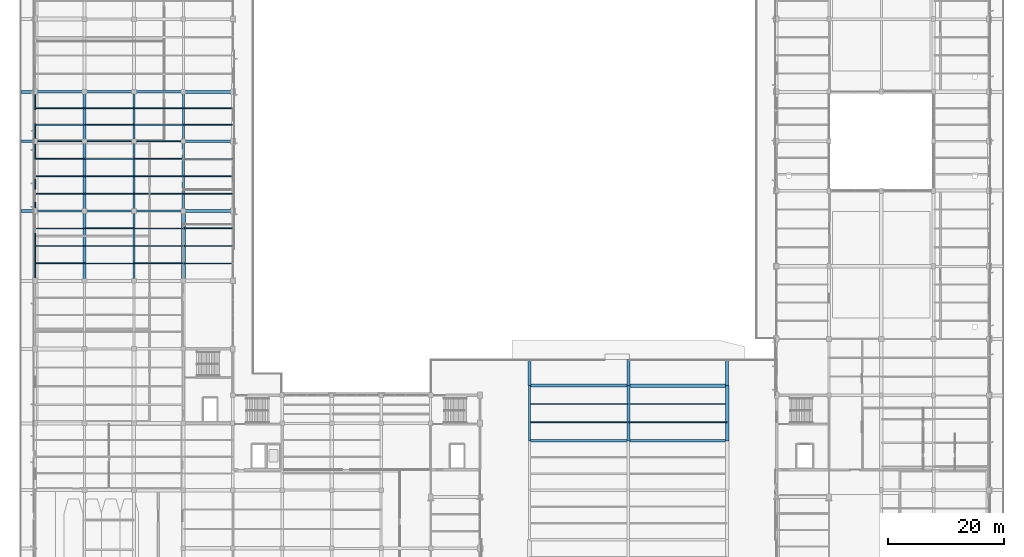
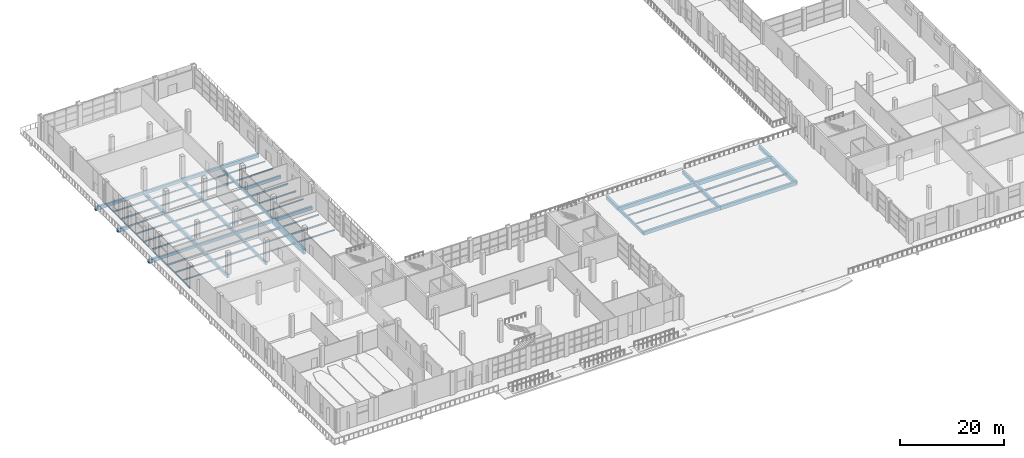
# One storey, part 20 of 90: 73 beams.
"""IFC4 building model written with IfcOpenShell, lengths in metres."""

from ifc_helpers import new_model, si_unit, direction, frame, origin, origin_2d, place, context, subcontext, project, spatial, rectangle, hollow_rectangle, i_section, extrude, material, material_profile, profile_set, type_object, element, save


model = new_model("IFC4")

# Units and contexts
model_context = context("Model", 3, precision=1e-05, world=origin(), true_north=direction((0.0, 1.0)))
body_context = subcontext(model_context, "Body", "Model", "MODEL_VIEW")
ifc_project = project(units=[si_unit("LENGTHUNIT", "METRE"), si_unit("AREAUNIT", "SQUARE_METRE"), si_unit("VOLUMEUNIT", "CUBIC_METRE"), si_unit("PLANEANGLEUNIT", "RADIAN"), si_unit("MASSUNIT", "GRAM", prefix="KILO")], contexts=[model_context])

# Site, building, storey
site_placement = place(None, origin())
site = spatial("IfcSite", under=ifc_project, at=site_placement, CompositionType="ELEMENT")
building_placement = place(site_placement, origin())
building = spatial("IfcBuilding", under=site, at=building_placement, Name="Solvikara Media Centre", CompositionType="ELEMENT")
storey_placement = place(building_placement, origin())
storey = spatial("IfcBuildingStorey", under=building, at=storey_placement, Name="L00", CompositionType="ELEMENT", Elevation=0.0)

# Beams
ifc_material_1 = material(Name="Concrete fc' 35 MPa (C35/45)", Category="concrete")
ifc_material_profile_1 = material_profile(ifc_material_1, rectangle(XDim=0.35009765625, YDim=0.60009765625, at=origin_2d()), Name="RC 350x600")
ifc_profile_set_1 = profile_set([ifc_material_profile_1], Name="Concrete fc' 35 MPa (C35/45)")
beam_type_1 = type_object("IfcBeamType", Name="BM-01", PredefinedType="BEAM", material=ifc_profile_set_1)
beam_1_placement = place(storey_placement, frame((25.5, 68.5, -0.639892578125), z_axis=(0.0, 1.0, 0.0), x_axis=(-1.0, 0.0, 0.0)))
element("IfcBeam", 1, at=beam_1_placement, inside=storey, type_object=beam_type_1, Name="B-L00-Y0145", PredefinedType="BEAM", context=body_context, shape_type="SweptSolid", body=[
    extrude(rectangle(XDim=0.35009765625, YDim=0.60009765625, at=origin_2d()), origin(), (0.0, 0.0, 1.0), 12.0),
])
ifc_material_profile_2 = material_profile(ifc_material_1, rectangle(XDim=0.39990234375, YDim=0.64990234375, at=origin_2d()), Name="RC 400x650")
ifc_profile_set_2 = profile_set([ifc_material_profile_2], Name="Concrete fc' 35 MPa (C35/45)")
beam_type_2 = type_object("IfcBeamType", Name="BM-02", PredefinedType="BEAM", material=ifc_profile_set_2)
beam_2_placement = place(storey_placement, frame((0.0, 68.5, -0.6650390625), z_axis=(1.0, 0.0, 0.0), x_axis=(0.0, 1.0, 0.0)))
element("IfcBeam", 2, at=beam_2_placement, inside=storey, type_object=beam_type_2, Name="B-L00-X0074", PredefinedType="BEAM", context=body_context, shape_type="SweptSolid", body=[
    extrude(rectangle(XDim=0.39990234375, YDim=0.64990234375, at=origin_2d()), origin(), (0.0, 0.0, 1.0), 8.5),
])
beam_3_placement = place(storey_placement, frame((17.0, 56.5, -0.6650390625), z_axis=(0.0, 1.0, 0.0), x_axis=(-1.0, 0.0, 0.0)))
element("IfcBeam", 3, at=beam_3_placement, inside=storey, type_object=beam_type_2, Name="B-L00-Y0134", PredefinedType="BEAM", context=body_context, shape_type="SweptSolid", body=[
    extrude(rectangle(XDim=0.39990234375, YDim=0.64990234375, at=origin_2d()), origin(), (0.0, 0.0, 1.0), 12.0),
])
beam_4_placement = place(storey_placement, frame((25.5, 80.5, -0.6650390625), z_axis=(0.0, 1.0, 0.0), x_axis=(-1.0, 0.0, 0.0)))
element("IfcBeam", 4, at=beam_4_placement, inside=storey, type_object=beam_type_2, Name="B-L00-Y0146", PredefinedType="BEAM", context=body_context, shape_type="SweptSolid", body=[
    extrude(rectangle(XDim=0.39990234375, YDim=0.64990234375, at=origin_2d()), origin(), (0.0, 0.0, 1.0), 8.5),
])
ifc_material_profile_3 = material_profile(ifc_material_1, rectangle(XDim=0.39990234375, YDim=0.699951171875, at=origin_2d()), Name="RC 400x700")
ifc_profile_set_3 = profile_set([ifc_material_profile_3], Name="Concrete fc' 35 MPa (C35/45)")
beam_type_3 = type_object("IfcBeamType", Name="BM-03", PredefinedType="BEAM", material=ifc_profile_set_3)
beam_5_placement = place(storey_placement, frame((8.5, 68.5, -0.68994140625), z_axis=(1.0, 0.0, 0.0), x_axis=(0.0, 1.0, 0.0)))
element("IfcBeam", 5, at=beam_5_placement, inside=storey, type_object=beam_type_3, Name="B-L00-X0075", PredefinedType="BEAM", context=body_context, shape_type="SweptSolid", body=[
    extrude(rectangle(XDim=0.39990234375, YDim=0.699951171875, at=origin_2d()), origin(), (0.0, 0.0, 1.0), 8.5),
])
beam_6_placement = place(storey_placement, frame((17.0, 68.5, -0.68994140625), z_axis=(0.0, 1.0, 0.0), x_axis=(-1.0, 0.0, 0.0)))
element("IfcBeam", 6, at=beam_6_placement, inside=storey, type_object=beam_type_3, Name="B-L00-Y0135", PredefinedType="BEAM", context=body_context, shape_type="SweptSolid", body=[
    extrude(rectangle(XDim=0.39990234375, YDim=0.699951171875, at=origin_2d()), origin(), (0.0, 0.0, 1.0), 12.0),
])
beam_7_placement = place(storey_placement, frame((85.0, 29.0, -0.60009765625), z_axis=(0.0, 1.0, 0.0), x_axis=(-1.0, 0.0, 0.0)))
element("IfcBeam", 7, at=beam_7_placement, inside=storey, type_object=beam_type_3, Name="B-L00-Y0183", PredefinedType="BEAM", context=body_context, shape_type="SweptSolid", body=[
    extrude(rectangle(XDim=0.39990234375, YDim=0.699951171875, at=origin_2d()), origin(), (0.0, 0.0, 1.0), 9.5),
])
ifc_material_profile_4 = material_profile(ifc_material_1, rectangle(XDim=0.39990234375, YDim=0.75, at=origin_2d()), Name="RC 400x750")
ifc_profile_set_4 = profile_set([ifc_material_profile_4], Name="Concrete fc' 35 MPa (C35/45)")
beam_type_4 = type_object("IfcBeamType", Name="BM-04", PredefinedType="BEAM", material=ifc_profile_set_4)
for number, where, z_axis, x_axis, name in (
    (8, (17.0, 68.5, -0.715087890625), (1.0, 0.0, 0.0), (0.0, 1.0, 0.0), "B-L00-X0076"),
    (9, (0.0, 89.0, -0.715087890625), (1.0, 0.0, 0.0), (0.0, 1.0, 0.0), "B-L00-X0088"),
    (10, (17.0, 80.5, -0.715087890625), (0.0, 1.0, 0.0), (-1.0, 0.0, 0.0), "B-L00-Y0136"),
):
    element("IfcBeam", number, at=place(storey_placement, frame(where, z_axis=z_axis, x_axis=x_axis)), inside=storey, type_object=beam_type_4, Name=name, PredefinedType="BEAM", context=body_context, shape_type="SweptSolid", body=[
        extrude(rectangle(XDim=0.39990234375, YDim=0.75, at=origin_2d()), origin(), (0.0, 0.0, 1.0), 8.5),
    ])
ifc_material_profile_5 = material_profile(ifc_material_1, rectangle(XDim=0.449951171875, YDim=0.75, at=origin_2d()), Name="RC 450x750")
ifc_profile_set_5 = profile_set([ifc_material_profile_5], Name="Concrete fc' 35 MPa (C35/45)")
beam_type_5 = type_object("IfcBeamType", Name="BM-05", PredefinedType="BEAM", material=ifc_profile_set_5)
for number, where, z_axis, x_axis, name in (
    (11, (25.5, 68.5, -0.715087890625), (1.0, 0.0, 0.0), (0.0, 1.0, 0.0), "B-L00-X0077"),
    (12, (8.5, 89.0, -0.715087890625), (1.0, 0.0, 0.0), (0.0, 1.0, 0.0), "B-L00-X0089"),
):
    element("IfcBeam", number, at=place(storey_placement, frame(where, z_axis=z_axis, x_axis=x_axis)), inside=storey, type_object=beam_type_5, Name=name, PredefinedType="BEAM", context=body_context, shape_type="SweptSolid", body=[
        extrude(rectangle(XDim=0.449951171875, YDim=0.75, at=origin_2d()), origin(), (0.0, 0.0, 1.0), 8.5),
    ])
beam_8_placement = place(storey_placement, frame((8.5, 56.5, -0.715087890625), z_axis=(0.0, 1.0, 0.0), x_axis=(-1.0, 0.0, 0.0)))
element("IfcBeam", 13, at=beam_8_placement, inside=storey, type_object=beam_type_5, Name="B-L00-Y0125", PredefinedType="BEAM", context=body_context, shape_type="SweptSolid", body=[
    extrude(rectangle(XDim=0.449951171875, YDim=0.75, at=origin_2d()), origin(), (0.0, 0.0, 1.0), 12.0),
])
ifc_material_profile_6 = material_profile(ifc_material_1, rectangle(XDim=0.449951171875, YDim=0.800048828125, at=origin_2d()), Name="RC 450x800")
ifc_profile_set_6 = profile_set([ifc_material_profile_6], Name="Concrete fc' 35 MPa (C35/45)")
beam_type_6 = type_object("IfcBeamType", Name="BM-06", PredefinedType="BEAM", material=ifc_profile_set_6)
beam_9_placement = place(storey_placement, frame((17.0, 89.0, -0.739990234375), z_axis=(1.0, 0.0, 0.0), x_axis=(0.0, 1.0, 0.0)))
element("IfcBeam", 14, at=beam_9_placement, inside=storey, type_object=beam_type_6, Name="B-L00-X0090", PredefinedType="BEAM", context=body_context, shape_type="SweptSolid", body=[
    extrude(rectangle(XDim=0.449951171875, YDim=0.800048828125, at=origin_2d()), origin(), (0.0, 0.0, 1.0), 8.5),
])
beam_10_placement = place(storey_placement, frame((8.5, 68.5, -0.739990234375), z_axis=(0.0, 1.0, 0.0), x_axis=(-1.0, 0.0, 0.0)))
element("IfcBeam", 15, at=beam_10_placement, inside=storey, type_object=beam_type_6, Name="B-L00-Y0126", PredefinedType="BEAM", context=body_context, shape_type="SweptSolid", body=[
    extrude(rectangle(XDim=0.449951171875, YDim=0.800048828125, at=origin_2d()), origin(), (0.0, 0.0, 1.0), 12.0),
])
ifc_material_profile_7 = material_profile(ifc_material_1, rectangle(XDim=0.5, YDim=0.800048828125, at=origin_2d()), Name="RC 500x800")
ifc_profile_set_7 = profile_set([ifc_material_profile_7], Name="Concrete fc' 35 MPa (C35/45)")
beam_type_7 = type_object("IfcBeamType", Name="BM-07", PredefinedType="BEAM", material=ifc_profile_set_7)
beam_11_placement = place(storey_placement, frame((85.0, 29.0, -0.64990234375), z_axis=(1.0, 0.0, 0.0), x_axis=(0.0, 1.0, 0.0)))
element("IfcBeam", 16, at=beam_11_placement, inside=storey, type_object=beam_type_7, Name="B-L00-X0043", PredefinedType="BEAM", context=body_context, shape_type="SweptSolid", body=[
    extrude(rectangle(XDim=0.5, YDim=0.800048828125, at=origin_2d()), origin(), (0.0, 0.0, 1.0), 17.0),
])
for number, where, z_axis, x_axis, name in (
    (17, (25.5, 89.0, -0.739990234375), (1.0, 0.0, 0.0), (0.0, 1.0, 0.0), "B-L00-X0091"),
    (18, (8.5, 80.5, -0.739990234375), (0.0, 1.0, 0.0), (-1.0, 0.0, 0.0), "B-L00-Y0127"),
):
    element("IfcBeam", number, at=place(storey_placement, frame(where, z_axis=z_axis, x_axis=x_axis)), inside=storey, type_object=beam_type_7, Name=name, PredefinedType="BEAM", context=body_context, shape_type="SweptSolid", body=[
        extrude(rectangle(XDim=0.5, YDim=0.800048828125, at=origin_2d()), origin(), (0.0, 0.0, 1.0), 8.5),
    ])
beam_12_placement = place(storey_placement, frame((102.0, 29.0, -0.64990234375), z_axis=(0.0, 1.0, 0.0), x_axis=(-1.0, 0.0, 0.0)))
element("IfcBeam", 19, at=beam_12_placement, inside=storey, type_object=beam_type_7, Name="B-L00-Y0187", PredefinedType="BEAM", context=body_context, shape_type="SweptSolid", body=[
    extrude(rectangle(XDim=0.5, YDim=0.800048828125, at=origin_2d()), origin(), (0.0, 0.0, 1.0), 9.5),
])
for number, where, z_axis, x_axis, name in (
    (20, (-2.3798828125, 68.5, -0.64990234375), (1.0, 0.0, 0.0), (0.0, 1.0, 0.0), "B-L00-PRM-007"),
    (21, (-2.3798828125, 80.5, -0.64990234375), (1.0, 0.0, 0.0), (0.0, 1.0, 0.0), "B-L00-PRM-008"),
    (22, (-2.3798828125, 89.0, -0.64990234375), (1.0, 0.0, 0.0), (0.0, 1.0, 0.0), "B-L00-PRM-009"),
):
    element("IfcBeam", number, at=place(storey_placement, frame(where, z_axis=z_axis, x_axis=x_axis)), inside=storey, type_object=beam_type_7, Name=name, PredefinedType="BEAM", context=body_context, shape_type="SweptSolid", body=[
        extrude(rectangle(XDim=0.5, YDim=0.800048828125, at=origin_2d()), origin(), (0.0, 0.0, 1.0), 2.3798828125),
    ])
for number, where, z_axis, x_axis, name in (
    (23, (85.0, 38.5, -0.64990234375), (0.0, 1.0, 0.0), (-1.0, 0.0, 0.0), "B-L00-PRM-040"),
    (24, (102.0, 38.5, -0.64990234375), (0.0, 1.0, 0.0), (-1.0, 0.0, 0.0), "B-L00-PRM-041"),
    (25, (119.0, 38.5, -0.64990234375), (0.0, 1.0, 0.0), (-1.0, 0.0, 0.0), "B-L00-PRM-042"),
):
    element("IfcBeam", number, at=place(storey_placement, frame(where, z_axis=z_axis, x_axis=x_axis)), inside=storey, type_object=beam_type_7, Name=name, PredefinedType="BEAM", context=body_context, shape_type="SweptSolid", body=[
        extrude(rectangle(XDim=0.5, YDim=0.800048828125, at=origin_2d()), origin(), (0.0, 0.0, 1.0), 4.5),
    ])
ifc_material_profile_8 = material_profile(ifc_material_1, rectangle(XDim=0.5, YDim=0.85009765625, at=origin_2d()), Name="RC 500x850")
ifc_profile_set_8 = profile_set([ifc_material_profile_8], Name="Concrete fc' 35 MPa (C35/45)")
beam_type_8 = type_object("IfcBeamType", Name="BM-08", PredefinedType="BEAM", material=ifc_profile_set_8)
beam_13_placement = place(storey_placement, frame((102.0, 29.0, -0.675048828125), z_axis=(1.0, 0.0, 0.0), x_axis=(0.0, 1.0, 0.0)))
element("IfcBeam", 26, at=beam_13_placement, inside=storey, type_object=beam_type_8, Name="B-L00-X0044", PredefinedType="BEAM", context=body_context, shape_type="SweptSolid", body=[
    extrude(rectangle(XDim=0.5, YDim=0.85009765625, at=origin_2d()), origin(), (0.0, 0.0, 1.0), 17.0),
])
ifc_material_2 = material(Name="Concrete fc' 45 MPa (C45/55)", Category="concrete")
ifc_material_profile_9 = material_profile(ifc_material_2, rectangle(XDim=0.550048828125, YDim=0.89990234375, at=origin_2d()), Name="RC 550x900")
ifc_profile_set_9 = profile_set([ifc_material_profile_9], Name="Concrete fc' 45 MPa (C45/55)")
beam_type_9 = type_object("IfcBeamType", Name="BM-10", PredefinedType="BEAM", material=ifc_profile_set_9)
beam_14_placement = place(storey_placement, frame((85.0, 38.5, -0.699951171875), z_axis=(1.0, 0.0, 0.0), x_axis=(0.0, 1.0, 0.0)))
element("IfcBeam", 27, at=beam_14_placement, inside=storey, type_object=beam_type_9, Name="B-L00-X0058", PredefinedType="BEAM", context=body_context, shape_type="SweptSolid", body=[
    extrude(rectangle(XDim=0.550048828125, YDim=0.89990234375, at=origin_2d()), origin(), (0.0, 0.0, 1.0), 17.0),
])
ifc_material_profile_10 = material_profile(ifc_material_2, rectangle(XDim=0.60009765625, YDim=0.949951171875, at=origin_2d()), Name="RC 600x950")
ifc_profile_set_10 = profile_set([ifc_material_profile_10], Name="Concrete fc' 45 MPa (C45/55)")
beam_type_10 = type_object("IfcBeamType", Name="BM-11", PredefinedType="BEAM", material=ifc_profile_set_10)
beam_15_placement = place(storey_placement, frame((102.0, 38.5, -0.72509765625), z_axis=(1.0, 0.0, 0.0), x_axis=(0.0, 1.0, 0.0)))
element("IfcBeam", 28, at=beam_15_placement, inside=storey, type_object=beam_type_10, Name="B-L00-X0059", PredefinedType="BEAM", context=body_context, shape_type="SweptSolid", body=[
    extrude(rectangle(XDim=0.60009765625, YDim=0.949951171875, at=origin_2d()), origin(), (0.0, 0.0, 1.0), 17.0),
])
beam_16_placement = place(storey_placement, frame((119.0, 29.0, -0.72509765625), z_axis=(0.0, 1.0, 0.0), x_axis=(-1.0, 0.0, 0.0)))
element("IfcBeam", 29, at=beam_16_placement, inside=storey, type_object=beam_type_10, Name="B-L00-Y0191", PredefinedType="BEAM", context=body_context, shape_type="SweptSolid", body=[
    extrude(rectangle(XDim=0.60009765625, YDim=0.949951171875, at=origin_2d()), origin(), (0.0, 0.0, 1.0), 9.5),
])
ifc_material_profile_11 = material_profile(ifc_material_2, rectangle(XDim=0.64990234375, YDim=1.10009765625, at=origin_2d()), Name="RC 650x1100")
ifc_profile_set_11 = profile_set([ifc_material_profile_11], Name="Concrete fc' 45 MPa (C45/55)")
beam_type_11 = type_object("IfcBeamType", Name="BM-12", PredefinedType="BEAM", material=ifc_profile_set_11)
beam_17_placement = place(storey_placement, frame((25.5, 56.5, -0.889892578125), z_axis=(0.0, 1.0, 0.0), x_axis=(-1.0, 0.0, 0.0)))
element("IfcBeam", 30, at=beam_17_placement, inside=storey, type_object=beam_type_11, Name="B-L00-Y0144", PredefinedType="BEAM", context=body_context, shape_type="SweptSolid", body=[
    extrude(rectangle(XDim=0.64990234375, YDim=1.10009765625, at=origin_2d()), origin(), (0.0, 0.0, 1.0), 12.0),
])
ifc_material_profile_12 = material_profile(ifc_material_1, rectangle(XDim=0.39990234375, YDim=0.699951171875, at=origin_2d()), Name="RC 400x700")
ifc_profile_set_12 = profile_set([ifc_material_profile_12], Name="Concrete fc' 35 MPa (C35/45)")
beam_type_12 = type_object("IfcBeamType", Name="BM-13", PredefinedType="SPANDREL", material=ifc_profile_set_12)
beam_18_placement = place(storey_placement, frame((25.5, 80.5, -0.68994140625), z_axis=(1.0, 0.0, 0.0), x_axis=(0.0, 1.0, 0.0)))
element("IfcBeam", 31, at=beam_18_placement, inside=storey, type_object=beam_type_12, Name="B-L00-X0085", PredefinedType="SPANDREL", context=body_context, shape_type="SweptSolid", body=[
    extrude(rectangle(XDim=0.39990234375, YDim=0.699951171875, at=origin_2d()), origin(), (0.0, 0.0, 1.0), 8.5),
])
ifc_material_3 = material(Name="Steel S355JR", Category="steel")
ifc_material_profile_13 = material_profile(ifc_material_3, i_section(OverallWidth=0.199951171875, OverallDepth=0.39990234375, WebThickness=0.008056640625, FlangeThickness=0.012939453125, at=origin_2d()), Name="WF 400x200x8x13")
ifc_profile_set_13 = profile_set([ifc_material_profile_13], Name="Steel S355JR")
beam_type_13 = type_object("IfcBeamType", Name="BM-21", PredefinedType="JOIST", material=ifc_profile_set_13)
beam_19_placement = place(storey_placement, frame((0.0, 65.5, -0.5419921875), z_axis=(1.0, 0.0, 0.0), x_axis=(0.0, 1.0, 0.0)))
element("IfcBeam", 32, at=beam_19_placement, inside=storey, type_object=beam_type_13, Name="J-L00-0249", PredefinedType="JOIST", context=body_context, shape_type="SweptSolid", body=[
    extrude(i_section(OverallWidth=0.199951171875, OverallDepth=0.39990234375, WebThickness=0.008056640625, FlangeThickness=0.012939453125, at=origin_2d()), origin(), (0.0, 0.0, 1.0), 8.422119140625),
])
for number, where, z_axis, x_axis, name in (
    (33, (8.577880859375, 62.5, -0.5419921875), (1.0, 0.0, 0.0), (0.0, 1.0, 0.0), "J-L00-0273"),
    (34, (17.077880859375, 65.5, -0.5419921875), (1.0, 0.0, 0.0), (0.0, 1.0, 0.0), "J-L00-0297"),
    (35, (25.577880859375, 77.5, -0.5419921875), (1.0, 0.0, 0.0), (0.0, 1.0, 0.0), "J-L00-0321"),
):
    element("IfcBeam", number, at=place(storey_placement, frame(where, z_axis=z_axis, x_axis=x_axis)), inside=storey, type_object=beam_type_13, Name=name, PredefinedType="JOIST", context=body_context, shape_type="SweptSolid", body=[
        extrude(i_section(OverallWidth=0.199951171875, OverallDepth=0.39990234375, WebThickness=0.008056640625, FlangeThickness=0.012939453125, at=origin_2d()), origin(), (0.0, 0.0, 1.0), 8.34423828125),
    ])
beam_20_placement = place(storey_placement, frame((102.077880859375, 35.3330078125, -0.451904296875), z_axis=(1.0, 0.0, 0.0), x_axis=(0.0, 1.0, 0.0)))
element("IfcBeam", 36, at=beam_20_placement, inside=storey, type_object=beam_type_13, Name="J-L00-0377", PredefinedType="JOIST", context=body_context, shape_type="SweptSolid", body=[
    extrude(i_section(OverallWidth=0.199951171875, OverallDepth=0.39990234375, WebThickness=0.008056640625, FlangeThickness=0.012939453125, at=origin_2d()), origin(), (0.0, 0.0, 1.0), 16.84423828125),
])
ifc_material_profile_14 = material_profile(ifc_material_3, i_section(OverallWidth=0.175048828125, OverallDepth=0.35009765625, WebThickness=0.007080078125, FlangeThickness=0.010986328125, at=origin_2d()), Name="WF 350x175x7x11")
ifc_profile_set_14 = profile_set([ifc_material_profile_14], Name="Steel S355JR")
beam_type_14 = type_object("IfcBeamType", Name="BM-22", PredefinedType="JOIST", material=ifc_profile_set_14)
beam_21_placement = place(storey_placement, frame((0.0, 71.5, -0.51708984375), z_axis=(1.0, 0.0, 0.0), x_axis=(0.0, 1.0, 0.0)))
element("IfcBeam", 37, at=beam_21_placement, inside=storey, type_object=beam_type_14, Name="J-L00-0250", PredefinedType="JOIST", context=body_context, shape_type="SweptSolid", body=[
    extrude(i_section(OverallWidth=0.175048828125, OverallDepth=0.35009765625, WebThickness=0.007080078125, FlangeThickness=0.010986328125, at=origin_2d()), origin(), (0.0, 0.0, 1.0), 8.422119140625),
])
for number, where, z_axis, x_axis, name in (
    (38, (8.577880859375, 65.5, -0.51708984375), (1.0, 0.0, 0.0), (0.0, 1.0, 0.0), "J-L00-0274"),
    (39, (17.077880859375, 71.5, -0.51708984375), (1.0, 0.0, 0.0), (0.0, 1.0, 0.0), "J-L00-0298"),
    (40, (25.577880859375, 83.3330078125, -0.51708984375), (1.0, 0.0, 0.0), (0.0, 1.0, 0.0), "J-L00-0322"),
):
    element("IfcBeam", number, at=place(storey_placement, frame(where, z_axis=z_axis, x_axis=x_axis)), inside=storey, type_object=beam_type_14, Name=name, PredefinedType="JOIST", context=body_context, shape_type="SweptSolid", body=[
        extrude(i_section(OverallWidth=0.175048828125, OverallDepth=0.35009765625, WebThickness=0.007080078125, FlangeThickness=0.010986328125, at=origin_2d()), origin(), (0.0, 0.0, 1.0), 8.34423828125),
    ])
ifc_material_profile_15 = material_profile(ifc_material_3, i_section(OverallWidth=0.14990234375, OverallDepth=0.300048828125, WebThickness=0.006591796875, FlangeThickness=0.009033203125, at=origin_2d()), Name="WF 300x150x6.5x9")
ifc_profile_set_15 = profile_set([ifc_material_profile_15], Name="Steel S355JR")
beam_type_15 = type_object("IfcBeamType", Name="BM-23", PredefinedType="JOIST", material=ifc_profile_set_15)
beam_22_placement = place(storey_placement, frame((0.0, 74.5, -0.491943359375), z_axis=(1.0, 0.0, 0.0), x_axis=(0.0, 1.0, 0.0)))
element("IfcBeam", 41, at=beam_22_placement, inside=storey, type_object=beam_type_15, Name="J-L00-0251", PredefinedType="JOIST", context=body_context, shape_type="SweptSolid", body=[
    extrude(i_section(OverallWidth=0.14990234375, OverallDepth=0.300048828125, WebThickness=0.006591796875, FlangeThickness=0.009033203125, at=origin_2d()), origin(), (0.0, 0.0, 1.0), 8.422119140625),
])
for number, where, z_axis, x_axis, name in (
    (42, (8.577880859375, 71.5, -0.491943359375), (1.0, 0.0, 0.0), (0.0, 1.0, 0.0), "J-L00-0275"),
    (43, (17.077880859375, 74.5, -0.491943359375), (1.0, 0.0, 0.0), (0.0, 1.0, 0.0), "J-L00-0299"),
    (44, (25.577880859375, 86.1669921875, -0.491943359375), (1.0, 0.0, 0.0), (0.0, 1.0, 0.0), "J-L00-0323"),
):
    element("IfcBeam", number, at=place(storey_placement, frame(where, z_axis=z_axis, x_axis=x_axis)), inside=storey, type_object=beam_type_15, Name=name, PredefinedType="JOIST", context=body_context, shape_type="SweptSolid", body=[
        extrude(i_section(OverallWidth=0.14990234375, OverallDepth=0.300048828125, WebThickness=0.006591796875, FlangeThickness=0.009033203125, at=origin_2d()), origin(), (0.0, 0.0, 1.0), 8.34423828125),
    ])
ifc_material_profile_16 = material_profile(ifc_material_3, i_section(OverallWidth=0.125, OverallDepth=0.25, WebThickness=0.006103515625, FlangeThickness=0.009033203125, at=origin_2d()), Name="WF 250x125x6x9")
ifc_profile_set_16 = profile_set([ifc_material_profile_16], Name="Steel S355JR")
beam_type_16 = type_object("IfcBeamType", Name="BM-24", PredefinedType="JOIST", material=ifc_profile_set_16)
beam_23_placement = place(storey_placement, frame((0.0, 77.5, -0.467041015625), z_axis=(1.0, 0.0, 0.0), x_axis=(0.0, 1.0, 0.0)))
element("IfcBeam", 45, at=beam_23_placement, inside=storey, type_object=beam_type_16, Name="J-L00-0252", PredefinedType="JOIST", context=body_context, shape_type="SweptSolid", body=[
    extrude(i_section(OverallWidth=0.125, OverallDepth=0.25, WebThickness=0.006103515625, FlangeThickness=0.009033203125, at=origin_2d()), origin(), (0.0, 0.0, 1.0), 8.422119140625),
])
for number, where, z_axis, x_axis, name in (
    (46, (8.577880859375, 74.5, -0.467041015625), (1.0, 0.0, 0.0), (0.0, 1.0, 0.0), "J-L00-0276"),
    (47, (17.077880859375, 77.5, -0.467041015625), (1.0, 0.0, 0.0), (0.0, 1.0, 0.0), "J-L00-0300"),
    (48, (25.577880859375, 59.5, -0.467041015625), (1.0, 0.0, 0.0), (0.0, 1.0, 0.0), "J-L00-0316"),
):
    element("IfcBeam", number, at=place(storey_placement, frame(where, z_axis=z_axis, x_axis=x_axis)), inside=storey, type_object=beam_type_16, Name=name, PredefinedType="JOIST", context=body_context, shape_type="SweptSolid", body=[
        extrude(i_section(OverallWidth=0.125, OverallDepth=0.25, WebThickness=0.006103515625, FlangeThickness=0.009033203125, at=origin_2d()), origin(), (0.0, 0.0, 1.0), 8.34423828125),
    ])
ifc_material_profile_17 = material_profile(ifc_material_3, hollow_rectangle(XDim=0.175048828125, YDim=0.35009765625, WallThickness=0.010009765625, at=origin_2d()), Name="RHS 350x175x10")
ifc_profile_set_17 = profile_set([ifc_material_profile_17], Name="Steel S355JR")
beam_type_17 = type_object("IfcBeamType", Name="BM-34", PredefinedType="SPANDREL", material=ifc_profile_set_17)
beam_24_placement = place(storey_placement, frame((0.0, 80.5, -0.51708984375), z_axis=(1.0, 0.0, 0.0), x_axis=(0.0, 1.0, 0.0)))
element("IfcBeam", 49, at=beam_24_placement, inside=storey, type_object=beam_type_17, Name="B-L00-X0082", PredefinedType="SPANDREL", context=body_context, shape_type="SweptSolid", body=[
    extrude(hollow_rectangle(XDim=0.175048828125, YDim=0.35009765625, WallThickness=0.010009765625, at=origin_2d()), origin(), (0.0, 0.0, 1.0), 8.5),
])
beam_25_placement = place(storey_placement, frame((0.0, 56.5, -0.51708984375), z_axis=(0.0, 1.0, 0.0), x_axis=(-1.0, 0.0, 0.0)))
element("IfcBeam", 50, at=beam_25_placement, inside=storey, type_object=beam_type_17, Name="B-L00-Y0116", PredefinedType="SPANDREL", context=body_context, shape_type="SweptSolid", body=[
    extrude(hollow_rectangle(XDim=0.175048828125, YDim=0.35009765625, WallThickness=0.010009765625, at=origin_2d()), origin(), (0.0, 0.0, 1.0), 12.0),
])
ifc_material_profile_18 = material_profile(ifc_material_3, hollow_rectangle(XDim=0.14990234375, YDim=0.300048828125, WallThickness=0.010009765625, at=origin_2d()), Name="RHS 300x150x10")
ifc_profile_set_18 = profile_set([ifc_material_profile_18], Name="Steel S355JR")
beam_type_18 = type_object("IfcBeamType", Name="BM-35", PredefinedType="BEAM", material=ifc_profile_set_18)
beam_26_placement = place(storey_placement, frame((8.5, 80.5, -0.491943359375), z_axis=(1.0, 0.0, 0.0), x_axis=(0.0, 1.0, 0.0)))
element("IfcBeam", 51, at=beam_26_placement, inside=storey, type_object=beam_type_18, Name="B-L00-X0083", PredefinedType="BEAM", context=body_context, shape_type="SweptSolid", body=[
    extrude(hollow_rectangle(XDim=0.14990234375, YDim=0.300048828125, WallThickness=0.010009765625, at=origin_2d()), origin(), (0.0, 0.0, 1.0), 8.5),
])
beam_27_placement = place(storey_placement, frame((0.0, 68.5, -0.491943359375), z_axis=(0.0, 1.0, 0.0), x_axis=(-1.0, 0.0, 0.0)))
element("IfcBeam", 52, at=beam_27_placement, inside=storey, type_object=beam_type_18, Name="B-L00-Y0117", PredefinedType="BEAM", context=body_context, shape_type="SweptSolid", body=[
    extrude(hollow_rectangle(XDim=0.14990234375, YDim=0.300048828125, WallThickness=0.010009765625, at=origin_2d()), origin(), (0.0, 0.0, 1.0), 12.0),
])
ifc_material_profile_19 = material_profile(ifc_material_3, hollow_rectangle(XDim=0.14990234375, YDim=0.25, WallThickness=0.008056640625, at=origin_2d()), Name="RHS 250x150x8")
ifc_profile_set_19 = profile_set([ifc_material_profile_19], Name="Steel S355JR")
beam_type_19 = type_object("IfcBeamType", Name="BM-36", PredefinedType="JOIST", material=ifc_profile_set_19)
for number, where, z_axis, x_axis, name in (
    (53, (17.0, 80.5, -0.467041015625), (1.0, 0.0, 0.0), (0.0, 1.0, 0.0), "B-L00-X0084"),
    (54, (0.0, 80.5, -0.467041015625), (0.0, 1.0, 0.0), (-1.0, 0.0, 0.0), "B-L00-Y0118"),
):
    element("IfcBeam", number, at=place(storey_placement, frame(where, z_axis=z_axis, x_axis=x_axis)), inside=storey, type_object=beam_type_19, Name=name, PredefinedType="JOIST", context=body_context, shape_type="SweptSolid", body=[
        extrude(hollow_rectangle(XDim=0.14990234375, YDim=0.25, WallThickness=0.008056640625, at=origin_2d()), origin(), (0.0, 0.0, 1.0), 8.5),
    ])
ifc_material_profile_20 = material_profile(ifc_material_3, i_section(OverallWidth=0.198974609375, OverallDepth=0.39599609375, WebThickness=0.007080078125, FlangeThickness=0.010986328125, at=origin_2d()), Name="WF 396x199x7x11")
ifc_profile_set_20 = profile_set([ifc_material_profile_20], Name="Steel S355JR")
beam_type_20 = type_object("IfcBeamType", Name="BM-37", PredefinedType="JOIST", material=ifc_profile_set_20)
beam_28_placement = place(storey_placement, frame((0.0, 83.3330078125, -0.5400390625), z_axis=(1.0, 0.0, 0.0), x_axis=(0.0, 1.0, 0.0)))
element("IfcBeam", 55, at=beam_28_placement, inside=storey, type_object=beam_type_20, Name="J-L00-0253", PredefinedType="JOIST", context=body_context, shape_type="SweptSolid", body=[
    extrude(i_section(OverallWidth=0.198974609375, OverallDepth=0.39599609375, WebThickness=0.007080078125, FlangeThickness=0.010986328125, at=origin_2d()), origin(), (0.0, 0.0, 1.0), 8.422119140625),
])
for number, where, z_axis, x_axis, name in (
    (56, (8.577880859375, 77.5, -0.5400390625), (1.0, 0.0, 0.0), (0.0, 1.0, 0.0), "J-L00-0277"),
    (57, (17.077880859375, 83.3330078125, -0.5400390625), (1.0, 0.0, 0.0), (0.0, 1.0, 0.0), "J-L00-0301"),
    (58, (25.577880859375, 62.5, -0.5400390625), (1.0, 0.0, 0.0), (0.0, 1.0, 0.0), "J-L00-0317"),
):
    element("IfcBeam", number, at=place(storey_placement, frame(where, z_axis=z_axis, x_axis=x_axis)), inside=storey, type_object=beam_type_20, Name=name, PredefinedType="JOIST", context=body_context, shape_type="SweptSolid", body=[
        extrude(i_section(OverallWidth=0.198974609375, OverallDepth=0.39599609375, WebThickness=0.007080078125, FlangeThickness=0.010986328125, at=origin_2d()), origin(), (0.0, 0.0, 1.0), 8.34423828125),
    ])
ifc_material_profile_21 = material_profile(ifc_material_3, i_section(OverallWidth=0.174072265625, OverallDepth=0.345947265625, WebThickness=0.006103515625, FlangeThickness=0.009033203125, at=origin_2d()), Name="WF 346x174x6x9")
ifc_profile_set_21 = profile_set([ifc_material_profile_21], Name="Steel S355JR")
beam_type_21 = type_object("IfcBeamType", Name="BM-38", PredefinedType="JOIST", material=ifc_profile_set_21)
beam_29_placement = place(storey_placement, frame((0.0, 86.1669921875, -0.514892578125), z_axis=(1.0, 0.0, 0.0), x_axis=(0.0, 1.0, 0.0)))
element("IfcBeam", 59, at=beam_29_placement, inside=storey, type_object=beam_type_21, Name="J-L00-0254", PredefinedType="JOIST", context=body_context, shape_type="SweptSolid", body=[
    extrude(i_section(OverallWidth=0.174072265625, OverallDepth=0.345947265625, WebThickness=0.006103515625, FlangeThickness=0.009033203125, at=origin_2d()), origin(), (0.0, 0.0, 1.0), 8.422119140625),
])
for number, where, z_axis, x_axis, name in (
    (60, (8.577880859375, 83.3330078125, -0.514892578125), (1.0, 0.0, 0.0), (0.0, 1.0, 0.0), "J-L00-0278"),
    (61, (17.077880859375, 86.1669921875, -0.514892578125), (1.0, 0.0, 0.0), (0.0, 1.0, 0.0), "J-L00-0302"),
    (62, (25.577880859375, 65.5, -0.514892578125), (1.0, 0.0, 0.0), (0.0, 1.0, 0.0), "J-L00-0318"),
):
    element("IfcBeam", number, at=place(storey_placement, frame(where, z_axis=z_axis, x_axis=x_axis)), inside=storey, type_object=beam_type_21, Name=name, PredefinedType="JOIST", context=body_context, shape_type="SweptSolid", body=[
        extrude(i_section(OverallWidth=0.174072265625, OverallDepth=0.345947265625, WebThickness=0.006103515625, FlangeThickness=0.009033203125, at=origin_2d()), origin(), (0.0, 0.0, 1.0), 8.34423828125),
    ])
ifc_material_profile_22 = material_profile(ifc_material_3, i_section(OverallWidth=0.14892578125, OverallDepth=0.298095703125, WebThickness=0.005615234375, FlangeThickness=0.008056640625, at=origin_2d()), Name="WF 298x149x5.5x8")
ifc_profile_set_22 = profile_set([ifc_material_profile_22], Name="Steel S355JR")
beam_type_22 = type_object("IfcBeamType", Name="BM-39", PredefinedType="JOIST", material=ifc_profile_set_22)
beam_30_placement = place(storey_placement, frame((0.0, 59.5, -0.490966796875), z_axis=(1.0, 0.0, 0.0), x_axis=(0.0, 1.0, 0.0)))
element("IfcBeam", 63, at=beam_30_placement, inside=storey, type_object=beam_type_22, Name="J-L00-0247", PredefinedType="JOIST", context=body_context, shape_type="SweptSolid", body=[
    extrude(i_section(OverallWidth=0.14892578125, OverallDepth=0.298095703125, WebThickness=0.005615234375, FlangeThickness=0.008056640625, at=origin_2d()), origin(), (0.0, 0.0, 1.0), 8.422119140625),
])
for number, where, z_axis, x_axis, name in (
    (64, (8.577880859375, 86.1669921875, -0.490966796875), (1.0, 0.0, 0.0), (0.0, 1.0, 0.0), "J-L00-0279"),
    (65, (17.077880859375, 59.5, -0.490966796875), (1.0, 0.0, 0.0), (0.0, 1.0, 0.0), "J-L00-0295"),
    (66, (25.577880859375, 71.5, -0.490966796875), (1.0, 0.0, 0.0), (0.0, 1.0, 0.0), "J-L00-0319"),
):
    element("IfcBeam", number, at=place(storey_placement, frame(where, z_axis=z_axis, x_axis=x_axis)), inside=storey, type_object=beam_type_22, Name=name, PredefinedType="JOIST", context=body_context, shape_type="SweptSolid", body=[
        extrude(i_section(OverallWidth=0.14892578125, OverallDepth=0.298095703125, WebThickness=0.005615234375, FlangeThickness=0.008056640625, at=origin_2d()), origin(), (0.0, 0.0, 1.0), 8.34423828125),
    ])
beam_31_placement = place(storey_placement, frame((85.077880859375, 32.1669921875, -0.40087890625), z_axis=(1.0, 0.0, 0.0), x_axis=(0.0, 1.0, 0.0)))
element("IfcBeam", 67, at=beam_31_placement, inside=storey, type_object=beam_type_22, Name="J-L00-0367", PredefinedType="JOIST", context=body_context, shape_type="SweptSolid", body=[
    extrude(i_section(OverallWidth=0.14892578125, OverallDepth=0.298095703125, WebThickness=0.005615234375, FlangeThickness=0.008056640625, at=origin_2d()), origin(), (0.0, 0.0, 1.0), 16.84423828125),
])
ifc_material_profile_23 = material_profile(ifc_material_3, i_section(OverallWidth=0.1240234375, OverallDepth=0.248046875, WebThickness=0.0048828125, FlangeThickness=0.008056640625, at=origin_2d()), Name="WF 248x124x5x8")
ifc_profile_set_23 = profile_set([ifc_material_profile_23], Name="Steel S355JR")
beam_type_23 = type_object("IfcBeamType", Name="BM-40", PredefinedType="JOIST", material=ifc_profile_set_23)
beam_32_placement = place(storey_placement, frame((0.0, 62.5, -0.466064453125), z_axis=(1.0, 0.0, 0.0), x_axis=(0.0, 1.0, 0.0)))
element("IfcBeam", 68, at=beam_32_placement, inside=storey, type_object=beam_type_23, Name="J-L00-0248", PredefinedType="JOIST", context=body_context, shape_type="SweptSolid", body=[
    extrude(i_section(OverallWidth=0.1240234375, OverallDepth=0.248046875, WebThickness=0.0048828125, FlangeThickness=0.008056640625, at=origin_2d()), origin(), (0.0, 0.0, 1.0), 8.422119140625),
])
for number, where, z_axis, x_axis, name in (
    (69, (8.577880859375, 59.5, -0.466064453125), (1.0, 0.0, 0.0), (0.0, 1.0, 0.0), "J-L00-0272"),
    (70, (17.077880859375, 62.5, -0.466064453125), (1.0, 0.0, 0.0), (0.0, 1.0, 0.0), "J-L00-0296"),
    (71, (25.577880859375, 74.5, -0.466064453125), (1.0, 0.0, 0.0), (0.0, 1.0, 0.0), "J-L00-0320"),
):
    element("IfcBeam", number, at=place(storey_placement, frame(where, z_axis=z_axis, x_axis=x_axis)), inside=storey, type_object=beam_type_23, Name=name, PredefinedType="JOIST", context=body_context, shape_type="SweptSolid", body=[
        extrude(i_section(OverallWidth=0.1240234375, OverallDepth=0.248046875, WebThickness=0.0048828125, FlangeThickness=0.008056640625, at=origin_2d()), origin(), (0.0, 0.0, 1.0), 8.34423828125),
    ])
for number, where, z_axis, x_axis, name in (
    (72, (85.077880859375, 35.3330078125, -0.3759765625), (1.0, 0.0, 0.0), (0.0, 1.0, 0.0), "J-L00-0368"),
    (73, (102.077880859375, 32.1669921875, -0.3759765625), (1.0, 0.0, 0.0), (0.0, 1.0, 0.0), "J-L00-0376"),
):
    element("IfcBeam", number, at=place(storey_placement, frame(where, z_axis=z_axis, x_axis=x_axis)), inside=storey, type_object=beam_type_23, Name=name, PredefinedType="JOIST", context=body_context, shape_type="SweptSolid", body=[
        extrude(i_section(OverallWidth=0.1240234375, OverallDepth=0.248046875, WebThickness=0.0048828125, FlangeThickness=0.008056640625, at=origin_2d()), origin(), (0.0, 0.0, 1.0), 16.84423828125),
    ])

save(model, "model.ifc")
